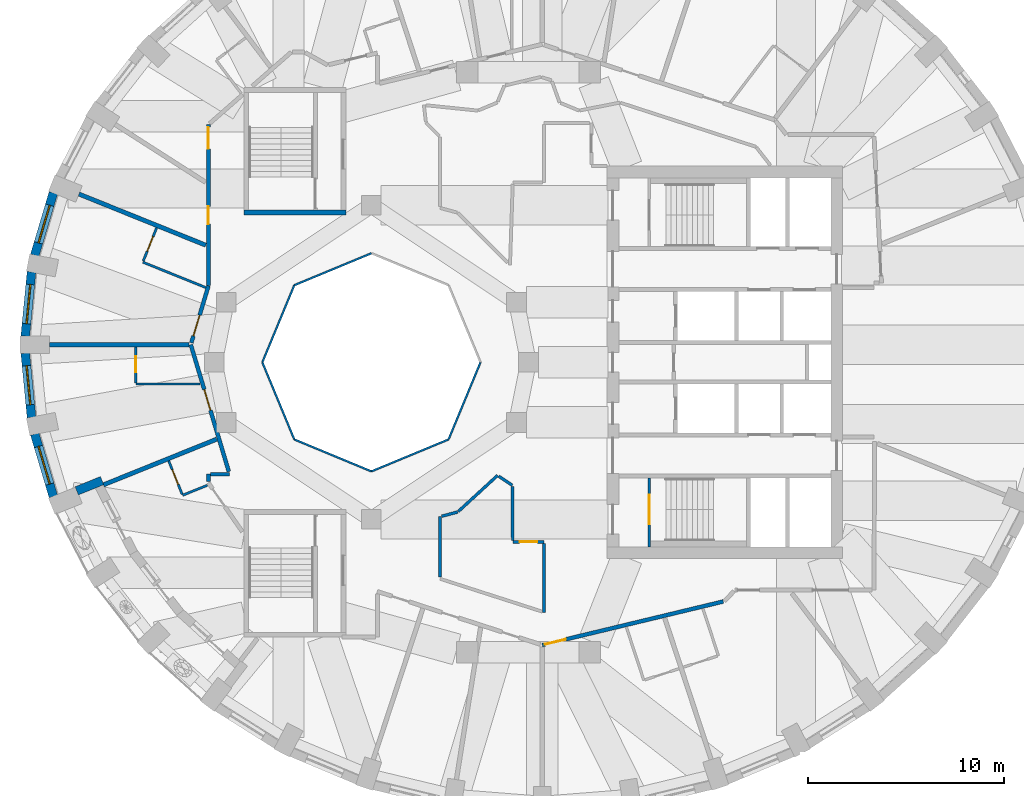
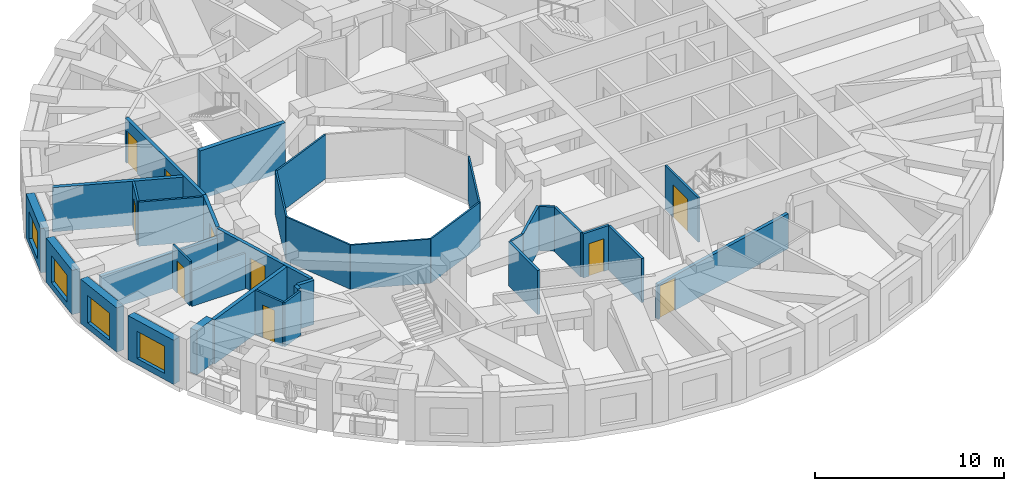
# One storey, part 4 of 12: 35 walls, 10 doors, 4 windows, 14 openings.
"""IFC4 building model written with IfcOpenShell, lengths in metres."""

from ifc_helpers import new_model, si_unit, direction, frame, frame_2d, origin, place, context, subcontext, project, spatial, rectangle, extrude, material, layer, layer_set, type_object, element, fill, save


model = new_model("IFC4")

# Units and contexts
model_context = context("Model", 3, precision=1e-05, world=origin(), true_north=direction((0.0, 1.0)))
body_context = subcontext(model_context, "Body", "Model", "MODEL_VIEW")
ifc_project = project(units=[si_unit("LENGTHUNIT", "METRE"), si_unit("AREAUNIT", "SQUARE_METRE"), si_unit("VOLUMEUNIT", "CUBIC_METRE"), si_unit("PLANEANGLEUNIT", "RADIAN"), si_unit("MASSUNIT", "GRAM", prefix="KILO")], contexts=[model_context])

# Site, building, storey
site_placement = place(None, origin())
site = spatial("IfcSite", under=ifc_project, at=site_placement, CompositionType="ELEMENT")
building_placement = place(site_placement, origin())
building = spatial("IfcBuilding", under=site, at=building_placement, Name="Taillehof Tower", CompositionType="ELEMENT")
storey_placement = place(building_placement, frame((0.0, 0.0, 225.5)))
storey = spatial("IfcBuildingStorey", under=building, at=storey_placement, Name="L64", CompositionType="ELEMENT", Elevation=225.5)

# Walls
ifc_material_1 = material(Name="Fire-resisting glass in steel frame", Category="steel")
ifc_layer_1 = layer(ifc_material_1, 0.10009765625)
ifc_layer_set_1 = layer_set([ifc_layer_1], Name="Atrium fire-resisting screen EI 60 100")
wall_type_1 = type_object("IfcWallType", Name="Atrium fire-resisting screen EI 60 100", PredefinedType="PARTITIONING", material=ifc_layer_set_1)
for number, where, z_axis, x_axis, name in (
    (1, (-2.44580078125, 0.0, 0.0), (0.0, 0.0, 1.0), (-0.382730523909, -0.923860025149, 0.0), "Atrium screen"),
    (2, (-4.07275390625, -3.92724609375, 0.0), (0.0, 0.0, 1.0), (-0.923860025149, -0.382730523909, 0.0), "Atrium screen"),
    (3, (-8.0, -5.55419921875, 0.0), (0.0, 0.0, 1.0), (-0.923860025149, 0.382730523909, 0.0), "Atrium screen"),
    (4, (-11.92724609375, -3.92724609375, 0.0), (0.0, 0.0, 1.0), (-0.382730523909, 0.923860025149, 0.0), "Atrium screen"),
    (5, (-13.55419921875, 0.0, 0.0), (0.0, 0.0, 1.0), (0.382730523909, 0.923860025149, 0.0), "Atrium screen"),
    (6, (-11.92724609375, 3.92724609375, 0.0), (0.0, 0.0, 1.0), (0.923860025149, 0.382730523909, 0.0), "Atrium screen"),
):
    element("IfcWall", number, at=place(storey_placement, frame(where, z_axis=z_axis, x_axis=x_axis)), inside=storey, type_object=wall_type_1, Name=name, PredefinedType="PARTITIONING", context=body_context, shape_type="SweptSolid", body=[
        extrude(rectangle(XDim=4.2509765625, YDim=0.10009765625, at=frame_2d((2.12548828125, 0.0))), origin(), (0.0, 0.0, 1.0), 2.85009765625),
    ])

# Wall, opening, window
ifc_material_2 = material(Name="Brick masonry", Category="masonry")
ifc_layer_2 = layer(ifc_material_2, 0.449951171875)
ifc_layer_set_2 = layer_set([ifc_layer_2], Name="Brick infill wall 450")
wall_type_2 = type_object("IfcWallType", Name="Brick infill wall 450", PredefinedType="SOLIDWALL", material=ifc_layer_set_2)
wall_1_placement = place(storey_placement, frame((-24.200439453125, 8.634033203125, 0.0), z_axis=(0.0, 0.0, 1.0), x_axis=(-0.285444972963, -0.958395099847, 0.0)))
wall_1 = element("IfcWall", 7, at=wall_1_placement, inside=storey, type_object=wall_type_2, Name="Brick wall L64 bay 17", PredefinedType="SOLIDWALL", context=body_context, shape_type="SweptSolid", body=[
    extrude(rectangle(XDim=3.3203125, YDim=0.449951171875, at=frame_2d((1.66015625, 0.0))), origin(), (0.0, 0.0, 1.0), 2.85009765625),
])
opening_1_placement = place(wall_1_placement, frame((0.66015625, 0.0, 0.39990234375)))
opening_1 = element("IfcOpeningElement", 8, at=opening_1_placement, cuts=wall_1, Name="Opening W2", PredefinedType="OPENING", context=body_context, shape_type="SweptSolid", body=[
    extrude(rectangle(XDim=2.0, YDim=1.75, at=frame_2d((1.0, 0.875))), frame((0.0, 0.23486328125, 0.0), z_axis=(0.0, -1.0, 0.0), x_axis=(1.0, 0.0, 0.0)), (0.0, 0.0, 1.0), 0.469970703125),
])
ifc_material_3 = material(Name="Aluminium window frame with clear double glazing", Category="aluminium")
window_type = type_object("IfcWindowType", Name="Deep-set window 2000x1750", PartitioningType="SINGLE_PANEL", PredefinedType="WINDOW", material=ifc_material_3)
window_1_placement = place(opening_1_placement, origin())
window_1 = element("IfcWindow", 9, at=window_1_placement, inside=storey, type_object=window_type, Name="W2", OverallHeight=1.75, OverallWidth=2.0, PartitioningType="SINGLE_PANEL", PredefinedType="WINDOW", context=body_context, shape_type="SweptSolid", body=[
    extrude(rectangle(XDim=2.0, YDim=1.75, at=frame_2d((1.0, 0.875))), frame((0.0, 0.034912109375, 0.0), z_axis=(0.0, -1.0, 0.0), x_axis=(1.0, 0.0, 0.0)), (0.0, 0.0, 1.0), 0.06005859375),
])
fill(opening_1, window_1)

wall_2_placement = place(storey_placement, frame((-25.313232421875, 4.607666015625, 0.0), z_axis=(0.0, 0.0, 1.0), x_axis=(-0.096824116835, -0.995301507283, 0.0)))
wall_2 = element("IfcWall", 10, at=wall_2_placement, inside=storey, type_object=wall_type_2, Name="Brick wall L64 bay 18", PredefinedType="SOLIDWALL", context=body_context, shape_type="SweptSolid", body=[
    extrude(rectangle(XDim=3.29296875, YDim=0.449951171875, at=frame_2d((1.646484375, 0.0))), origin(), (0.0, 0.0, 1.0), 2.85009765625),
])
opening_2_placement = place(wall_2_placement, frame((0.646484375, 0.0, 0.39990234375)))
opening_2 = element("IfcOpeningElement", 11, at=opening_2_placement, cuts=wall_2, Name="Opening W2", PredefinedType="OPENING", context=body_context, shape_type="SweptSolid", body=[
    extrude(rectangle(XDim=2.0, YDim=1.75, at=frame_2d((1.0, 0.875))), frame((0.0, 0.23486328125, 0.0), z_axis=(0.0, -1.0, 0.0), x_axis=(1.0, 0.0, 0.0)), (0.0, 0.0, 1.0), 0.469970703125),
])
window_2_placement = place(opening_2_placement, origin())
window_2 = element("IfcWindow", 12, at=window_2_placement, inside=storey, type_object=window_type, Name="W2", OverallHeight=1.75, OverallWidth=2.0, PartitioningType="SINGLE_PANEL", PredefinedType="WINDOW", context=body_context, shape_type="SweptSolid", body=[
    extrude(rectangle(XDim=2.0, YDim=1.75, at=frame_2d((1.0, 0.875))), frame((0.0, 0.034912109375, 0.0), z_axis=(0.0, -1.0, 0.0), x_axis=(1.0, 0.0, 0.0)), (0.0, 0.0, 1.0), 0.06005859375),
])
fill(opening_2, window_2)

wall_3_placement = place(storey_placement, frame((-25.632080078125, 0.469970703125, 0.0), z_axis=(0.0, 0.0, 1.0), x_axis=(0.096816972749, -0.995302202242, 0.0)))
wall_3 = element("IfcWall", 13, at=wall_3_placement, inside=storey, type_object=wall_type_2, Name="Brick wall L64 bay 19", PredefinedType="SOLIDWALL", context=body_context, shape_type="SweptSolid", body=[
    extrude(rectangle(XDim=3.293212890625, YDim=0.449951171875, at=frame_2d((1.646484375, 0.0))), origin(), (0.0, 0.0, 1.0), 2.85009765625),
])
opening_3_placement = place(wall_3_placement, frame((0.646484375, 0.0, 0.39990234375)))
opening_3 = element("IfcOpeningElement", 14, at=opening_3_placement, cuts=wall_3, Name="Opening W2", PredefinedType="OPENING", context=body_context, shape_type="SweptSolid", body=[
    extrude(rectangle(XDim=2.0, YDim=1.75, at=frame_2d((1.0, 0.875))), frame((0.0, 0.23486328125, 0.0), z_axis=(0.0, -1.0, 0.0), x_axis=(1.0, 0.0, 0.0)), (0.0, 0.0, 1.0), 0.469970703125),
])
window_3_placement = place(opening_3_placement, origin())
window_3 = element("IfcWindow", 15, at=window_3_placement, inside=storey, type_object=window_type, Name="W2", OverallHeight=1.75, OverallWidth=2.0, PartitioningType="SINGLE_PANEL", PredefinedType="WINDOW", context=body_context, shape_type="SweptSolid", body=[
    extrude(rectangle(XDim=2.0, YDim=1.75, at=frame_2d((1.0, 0.875))), frame((0.0, 0.034912109375, 0.0), z_axis=(0.0, -1.0, 0.0), x_axis=(1.0, 0.0, 0.0)), (0.0, 0.0, 1.0), 0.06005859375),
])
fill(opening_3, window_3)

wall_4_placement = place(storey_placement, frame((-25.148193359375, -3.65185546875, 0.0), z_axis=(0.0, 0.0, 1.0), x_axis=(0.285444972963, -0.958395099847, 0.0)))
wall_4 = element("IfcWall", 16, at=wall_4_placement, inside=storey, type_object=wall_type_2, Name="Brick wall L64 bay 20", PredefinedType="SOLIDWALL", context=body_context, shape_type="SweptSolid", body=[
    extrude(rectangle(XDim=3.3203125, YDim=0.449951171875, at=frame_2d((1.66015625, 0.0))), origin(), (0.0, 0.0, 1.0), 2.85009765625),
])
opening_4_placement = place(wall_4_placement, frame((0.66015625, 0.0, 0.39990234375)))
opening_4 = element("IfcOpeningElement", 17, at=opening_4_placement, cuts=wall_4, Name="Opening W2", PredefinedType="OPENING", context=body_context, shape_type="SweptSolid", body=[
    extrude(rectangle(XDim=2.0, YDim=1.75, at=frame_2d((1.0, 0.875))), frame((0.0, 0.23486328125, 0.0), z_axis=(0.0, -1.0, 0.0), x_axis=(1.0, 0.0, 0.0)), (0.0, 0.0, 1.0), 0.469970703125),
])
window_4_placement = place(opening_4_placement, origin())
window_4 = element("IfcWindow", 18, at=window_4_placement, inside=storey, type_object=window_type, Name="W2", OverallHeight=1.75, OverallWidth=2.0, PartitioningType="SINGLE_PANEL", PredefinedType="WINDOW", context=body_context, shape_type="SweptSolid", body=[
    extrude(rectangle(XDim=2.0, YDim=1.75, at=frame_2d((1.0, 0.875))), frame((0.0, 0.034912109375, 0.0), z_axis=(0.0, -1.0, 0.0), x_axis=(1.0, 0.0, 0.0)), (0.0, 0.0, 1.0), 0.06005859375),
])
fill(opening_4, window_4)

# Wall
wall_5_placement = place(storey_placement, frame((-23.0078125, -6.54638671875, 0.0), z_axis=(0.0, 0.0, 1.0), x_axis=(0.927346156366, 0.37420463155, 0.0)))
element("IfcWall", 19, at=wall_5_placement, inside=storey, type_object=wall_type_2, Name="Brick reveal L64 pocket 6", PredefinedType="SOLIDWALL", context=body_context, shape_type="SweptSolid", body=[
    extrude(rectangle(XDim=1.390380859375, YDim=0.449951171875, at=frame_2d((0.6953125, 0.0))), origin(), (0.0, 0.0, 1.0), 2.85009765625),
])

# Wall, opening, door
ifc_material_4 = material(Name="Gypsum board on steel studs, two layers each side", Category="steel")
ifc_layer_3 = layer(ifc_material_4, 0.199951171875)
ifc_layer_set_3 = layer_set([ifc_layer_3], Name="Compartment wall corridor 200")
wall_type_3 = type_object("IfcWallType", Name="Compartment wall corridor 200", PredefinedType="PARTITIONING", material=ifc_layer_set_3)
wall_6_placement = place(storey_placement, frame((9.922119140625, -12.1826171875, 0.0), z_axis=(0.0, 0.0, 1.0), x_axis=(-0.972292362394, -0.233768180104, 0.0)))
wall_6 = element("IfcWall", 20, at=wall_6_placement, inside=storey, type_object=wall_type_3, Name="Compartment wall", PredefinedType="PARTITIONING", context=body_context, shape_type="SweptSolid", body=[
    extrude(rectangle(XDim=9.48486328125, YDim=0.199951171875, at=frame_2d((4.742431640625, 0.0))), origin(), (0.0, 0.0, 1.0), 2.25),
])
opening_5_placement = place(wall_6_placement, frame((8.244873046875, 0.0, 0.0)))
opening_5 = element("IfcOpeningElement", 21, at=opening_5_placement, cuts=wall_6, Name="Opening D6461", PredefinedType="OPENING", context=body_context, shape_type="SweptSolid", body=[
    extrude(rectangle(XDim=1.10009765625, YDim=2.10009765625, at=frame_2d((0.550048828125, 1.050048828125))), frame((0.0, 0.10986328125, 0.0), z_axis=(0.0, -1.0, 0.0), x_axis=(1.0, 0.0, 0.0)), (0.0, 0.0, 1.0), 0.219970703125),
])
ifc_material_5 = material(Name="Timber door leaf in steel frame", Category="steel")
door_type_1 = type_object("IfcDoorType", Name="Suite entrance door EI 30 1100 x 2100", OperationType="SINGLE_SWING_LEFT", PredefinedType="DOOR", material=ifc_material_5)
door_1_placement = place(opening_5_placement, origin())
door_1 = element("IfcDoor", 22, at=door_1_placement, inside=storey, type_object=door_type_1, Name="D6461", OperationType="SINGLE_SWING_RIGHT", OverallHeight=2.10009765625, OverallWidth=1.10009765625, PredefinedType="DOOR", context=body_context, shape_type="SweptSolid", body=[
    extrude(rectangle(XDim=1.10009765625, YDim=2.10009765625, at=frame_2d((0.550048828125, 1.050048828125))), frame((0.0, 0.02490234375, 0.0), z_axis=(0.0, -1.0, 0.0), x_axis=(1.0, 0.0, 0.0)), (0.0, 0.0, 1.0), 0.050048828125),
])
fill(opening_5, door_1)

# Walls
wall_7_placement = place(storey_placement, frame((-16.300048828125, -6.080078125, 0.0), z_axis=(0.0, 0.0, 1.0), x_axis=(0.0, 1.0, 0.0)))
element("IfcWall", 23, at=wall_7_placement, inside=storey, type_object=wall_type_3, Name="Compartment wall", PredefinedType="PARTITIONING", context=body_context, shape_type="SweptSolid", body=[
    extrude(rectangle(XDim=0.380126953125, YDim=0.199951171875, at=frame_2d((0.18994140625, 0.0))), origin(), (0.0, 0.0, 1.0), 2.85009765625),
])
wall_8_placement = place(storey_placement, frame((-16.199951171875, -5.699951171875, 0.0), z_axis=(0.0, 0.0, 1.0), x_axis=(1.0, 0.0, 0.0)))
element("IfcWall", 24, at=wall_8_placement, inside=storey, type_object=wall_type_3, Name="Compartment wall", PredefinedType="PARTITIONING", context=body_context, shape_type="SweptSolid", body=[
    extrude(rectangle(XDim=0.978759765625, YDim=0.199951171875, at=frame_2d((0.4892578125, 0.0))), origin(), (0.0, 0.0, 1.0), 2.85009765625),
])

# Wall, opening, door
wall_9_placement = place(storey_placement, frame((-15.26220703125, -5.566650390625, 0.0), z_axis=(0.0, 0.0, 1.0), x_axis=(-0.28704593875, 0.957916817395, 0.0)))
wall_9 = element("IfcWall", 25, at=wall_9_placement, inside=storey, type_object=wall_type_3, Name="Compartment wall", PredefinedType="PARTITIONING", context=body_context, shape_type="SweptSolid", body=[
    extrude(rectangle(XDim=6.750732421875, YDim=0.199951171875, at=frame_2d((3.37548828125, 0.0))), origin(), (0.0, 0.0, 1.0), 2.85009765625),
])
opening_6_placement = place(wall_9_placement, frame((3.25927734375, 0.0, 0.0)))
opening_6 = element("IfcOpeningElement", 26, at=opening_6_placement, cuts=wall_9, Name="Opening D6454", PredefinedType="OPENING", context=body_context, shape_type="SweptSolid", body=[
    extrude(rectangle(XDim=1.10009765625, YDim=2.10009765625, at=frame_2d((0.550048828125, 1.050048828125))), frame((0.0, 0.10986328125, 0.0), z_axis=(0.0, -1.0, 0.0), x_axis=(1.0, 0.0, 0.0)), (0.0, 0.0, 1.0), 0.219970703125),
])
door_2_placement = place(opening_6_placement, origin())
door_2 = element("IfcDoor", 27, at=door_2_placement, inside=storey, type_object=door_type_1, Name="D6454", OperationType="SINGLE_SWING_RIGHT", OverallHeight=2.10009765625, OverallWidth=1.10009765625, PredefinedType="DOOR", context=body_context, shape_type="SweptSolid", body=[
    extrude(rectangle(XDim=1.10009765625, YDim=2.10009765625, at=frame_2d((0.550048828125, 1.050048828125))), frame((0.0, 0.02490234375, 0.0), z_axis=(0.0, -1.0, 0.0), x_axis=(1.0, 0.0, 0.0)), (0.0, 0.0, 1.0), 0.050048828125),
])
fill(opening_6, door_2)

wall_10_placement = place(storey_placement, frame((-17.170654296875, 0.9951171875, 0.0), z_axis=(0.0, 0.0, 1.0), x_axis=(0.286919722033, 0.957954629984, 0.0)))
wall_10 = element("IfcWall", 28, at=wall_10_placement, inside=storey, type_object=wall_type_3, Name="Compartment wall", PredefinedType="PARTITIONING", context=body_context, shape_type="SweptSolid", body=[
    extrude(rectangle(XDim=3.034423828125, YDim=0.199951171875, at=frame_2d((1.51708984375, 0.0))), origin(), (0.0, 0.0, 1.0), 2.85009765625),
])
opening_7_placement = place(wall_10_placement, frame((0.365234375, 0.0, 0.0)))
opening_7 = element("IfcOpeningElement", 29, at=opening_7_placement, cuts=wall_10, Name="Opening D6452", PredefinedType="OPENING", context=body_context, shape_type="SweptSolid", body=[
    extrude(rectangle(XDim=1.10009765625, YDim=2.10009765625, at=frame_2d((0.550048828125, 1.050048828125))), frame((0.0, 0.10986328125, 0.0), z_axis=(0.0, -1.0, 0.0), x_axis=(1.0, 0.0, 0.0)), (0.0, 0.0, 1.0), 0.219970703125),
])
door_3_placement = place(opening_7_placement, origin())
door_3 = element("IfcDoor", 30, at=door_3_placement, inside=storey, type_object=door_type_1, Name="D6452", OperationType="SINGLE_SWING_LEFT", OverallHeight=2.10009765625, OverallWidth=1.10009765625, PredefinedType="DOOR", context=body_context, shape_type="SweptSolid", body=[
    extrude(rectangle(XDim=1.10009765625, YDim=2.10009765625, at=frame_2d((0.550048828125, 1.050048828125))), frame((0.0, 0.02490234375, 0.0), z_axis=(0.0, -1.0, 0.0), x_axis=(1.0, 0.0, 0.0)), (0.0, 0.0, 1.0), 0.050048828125),
])
fill(opening_7, door_3)

# Wall, openings, doors
wall_11_placement = place(storey_placement, frame((-16.300048828125, 3.921875, 0.0), z_axis=(0.0, 0.0, 1.0), x_axis=(0.0, 1.0, 0.0)))
wall_11 = element("IfcWall", 31, at=wall_11_placement, inside=storey, type_object=wall_type_3, Name="Compartment wall", PredefinedType="PARTITIONING", context=body_context, shape_type="SweptSolid", body=[
    extrude(rectangle(XDim=8.193115234375, YDim=0.199951171875, at=frame_2d((4.0966796875, 0.0))), origin(), (0.0, 0.0, 1.0), 2.85009765625),
])
opening_8_placement = place(wall_11_placement, frame((6.953125, 0.0, 0.0)))
opening_8 = element("IfcOpeningElement", 32, at=opening_8_placement, cuts=wall_11, Name="Opening D6449", PredefinedType="OPENING", context=body_context, shape_type="SweptSolid", body=[
    extrude(rectangle(XDim=1.10009765625, YDim=2.10009765625, at=frame_2d((0.550048828125, 1.050048828125))), frame((0.0, 0.10986328125, 0.0), z_axis=(0.0, -1.0, 0.0), x_axis=(1.0, 0.0, 0.0)), (0.0, 0.0, 1.0), 0.219970703125),
])
opening_9_placement = place(wall_11_placement, frame((3.123046875, 0.0, 0.0)))
opening_9 = element("IfcOpeningElement", 33, at=opening_9_placement, cuts=wall_11, Name="Opening D6451", PredefinedType="OPENING", context=body_context, shape_type="SweptSolid", body=[
    extrude(rectangle(XDim=0.89990234375, YDim=2.10009765625, at=frame_2d((0.449951171875, 1.050048828125))), frame((0.0, 0.10986328125, 0.0), z_axis=(0.0, -1.0, 0.0), x_axis=(1.0, 0.0, 0.0)), (0.0, 0.0, 1.0), 0.219970703125),
])
ifc_material_6 = material(Name="Timber door leaf in steel frame", Category="steel")
door_type_2 = type_object("IfcDoorType", Name="Service room door EI 30 900 x 2100", OperationType="SINGLE_SWING_LEFT", PredefinedType="DOOR", material=ifc_material_6)
door_4_placement = place(opening_9_placement, origin())
door_4 = element("IfcDoor", 34, at=door_4_placement, inside=storey, type_object=door_type_2, Name="D6451", OperationType="SINGLE_SWING_LEFT", OverallHeight=2.10009765625, OverallWidth=0.89990234375, PredefinedType="DOOR", context=body_context, shape_type="SweptSolid", body=[
    extrude(rectangle(XDim=0.89990234375, YDim=2.10009765625, at=frame_2d((0.449951171875, 1.050048828125))), frame((0.0, 0.02490234375, 0.0), z_axis=(0.0, -1.0, 0.0), x_axis=(1.0, 0.0, 0.0)), (0.0, 0.0, 1.0), 0.050048828125),
])
fill(opening_9, door_4)
door_5_placement = place(opening_8_placement, origin())
door_5 = element("IfcDoor", 35, at=door_5_placement, inside=storey, type_object=door_type_1, Name="D6449", OperationType="SINGLE_SWING_LEFT", OverallHeight=2.10009765625, OverallWidth=1.10009765625, PredefinedType="DOOR", context=body_context, shape_type="SweptSolid", body=[
    extrude(rectangle(XDim=1.10009765625, YDim=2.10009765625, at=frame_2d((0.550048828125, 1.050048828125))), frame((0.0, 0.02490234375, 0.0), z_axis=(0.0, -1.0, 0.0), x_axis=(1.0, 0.0, 0.0)), (0.0, 0.0, 1.0), 0.050048828125),
])
fill(opening_8, door_5)

# Walls
ifc_material_7 = material(Name="Gypsum board on double steel studs with mineral wool", Category="steel")
ifc_layer_4 = layer(ifc_material_7, 0.219970703125)
ifc_layer_set_4 = layer_set([ifc_layer_4], Name="Compartment wall guest room 220")
wall_type_4 = type_object("IfcWallType", Name="Compartment wall guest room 220", PredefinedType="PARTITIONING", material=ifc_layer_set_4)
wall_12_placement = place(storey_placement, frame((-22.8955078125, 8.5712890625, 0.0), z_axis=(0.0, 0.0, 1.0), x_axis=(0.927387137769, -0.374103056256, 0.0)))
element("IfcWall", 36, at=wall_12_placement, inside=storey, type_object=wall_type_4, Name="Compartment wall", PredefinedType="PARTITIONING", context=body_context, shape_type="SweptSolid", body=[
    extrude(rectangle(XDim=6.9638671875, YDim=0.219970703125, at=frame_2d((3.48193359375, 0.0))), origin(), (0.0, 0.0, 1.0), 2.85009765625),
])
wall_13_placement = place(storey_placement, frame((-24.39990234375, 0.89990234375, 0.0), z_axis=(0.0, 0.0, 1.0), x_axis=(1.0, 0.0, 0.0)))
element("IfcWall", 37, at=wall_13_placement, inside=storey, type_object=wall_type_4, Name="Compartment wall", PredefinedType="PARTITIONING", context=body_context, shape_type="SweptSolid", body=[
    extrude(rectangle(XDim=7.099853515625, YDim=0.219970703125, at=frame_2d((3.5498046875, 0.0))), origin(), (0.0, 0.0, 1.0), 2.300048828125),
])
wall_14_placement = place(storey_placement, frame((-21.65087890625, -6.241455078125, 0.0), z_axis=(0.0, 0.0, 1.0), x_axis=(0.927390089179, 0.37409573974, 0.0)))
element("IfcWall", 38, at=wall_14_placement, inside=storey, type_object=wall_type_4, Name="Compartment wall", PredefinedType="PARTITIONING", context=body_context, shape_type="SweptSolid", body=[
    extrude(rectangle(XDim=6.220703125, YDim=0.219970703125, at=frame_2d((3.1103515625, 0.0))), origin(), (0.0, 0.0, 1.0), 2.85009765625),
])

# Wall, opening, door
ifc_material_8 = material(Name="Gypsum board on steel studs, two layers each side", Category="steel")
ifc_layer_5 = layer(ifc_material_8, 0.14990234375)
ifc_layer_set_5 = layer_set([ifc_layer_5], Name="Compartment wall service room 150")
wall_type_5 = type_object("IfcWallType", Name="Compartment wall service room 150", PredefinedType="PARTITIONING", material=ifc_layer_set_5)
wall_15_placement = place(storey_placement, frame((-0.800048828125, -9.14990234375, 0.0), z_axis=(0.0, 0.0, 1.0), x_axis=(1.0, 0.0, 0.0)))
wall_15 = element("IfcWall", 39, at=wall_15_placement, inside=storey, type_object=wall_type_5, Name="Compartment wall", PredefinedType="PARTITIONING", context=body_context, shape_type="SweptSolid", body=[
    extrude(rectangle(XDim=1.60009765625, YDim=0.14990234375, at=frame_2d((0.800048828125, 0.0))), origin(), (0.0, 0.0, 1.0), 2.85009765625),
])
opening_10_placement = place(wall_15_placement, frame((0.35009765625, 0.0, 0.0)))
opening_10 = element("IfcOpeningElement", 40, at=opening_10_placement, cuts=wall_15, Name="Opening D6469", PredefinedType="OPENING", context=body_context, shape_type="SweptSolid", body=[
    extrude(rectangle(XDim=0.89990234375, YDim=2.10009765625, at=frame_2d((0.449951171875, 1.050048828125))), frame((0.0, 0.0849609375, 0.0), z_axis=(0.0, -1.0, 0.0), x_axis=(1.0, 0.0, 0.0)), (0.0, 0.0, 1.0), 0.169921875),
])
door_6_placement = place(opening_10_placement, origin())
door_6 = element("IfcDoor", 41, at=door_6_placement, inside=storey, type_object=door_type_2, Name="D6469", OperationType="SINGLE_SWING_LEFT", OverallHeight=2.10009765625, OverallWidth=0.89990234375, PredefinedType="DOOR", context=body_context, shape_type="SweptSolid", body=[
    extrude(rectangle(XDim=0.89990234375, YDim=2.10009765625, at=frame_2d((0.449951171875, 1.050048828125))), frame((0.0, 0.02490234375, 0.0), z_axis=(0.0, -1.0, 0.0), x_axis=(1.0, 0.0, 0.0)), (0.0, 0.0, 1.0), 0.050048828125),
])
fill(opening_10, door_6)

# Walls
wall_16_placement = place(storey_placement, frame((0.800048828125, -9.22998046875, 0.0), z_axis=(0.0, 0.0, 1.0), x_axis=(0.0, -1.0, 0.0)))
element("IfcWall", 42, at=wall_16_placement, inside=storey, type_object=wall_type_5, Name="Compartment wall", PredefinedType="PARTITIONING", context=body_context, shape_type="SweptSolid", body=[
    extrude(rectangle(XDim=3.50048828125, YDim=0.14990234375, at=frame_2d((1.750244140625, 0.0))), origin(), (0.0, 0.0, 1.0), 2.85009765625),
])
wall_17_placement = place(storey_placement, frame((-4.5, -10.947021484375, 0.0), z_axis=(0.0, 0.0, 1.0), x_axis=(0.0, 1.0, 0.0)))
element("IfcWall", 43, at=wall_17_placement, inside=storey, type_object=wall_type_5, Name="Compartment wall", PredefinedType="PARTITIONING", context=body_context, shape_type="SweptSolid", body=[
    extrude(rectangle(XDim=3.0849609375, YDim=0.14990234375, at=frame_2d((1.54248046875, 0.0))), origin(), (0.0, 0.0, 1.0), 2.85009765625),
])
wall_18_placement = place(storey_placement, frame((-4.4228515625, -7.841552734375, 0.0), z_axis=(0.0, 0.0, 1.0), x_axis=(0.965853333569, 0.259089440221, 0.0)))
element("IfcWall", 44, at=wall_18_placement, inside=storey, type_object=wall_type_5, Name="Compartment wall", PredefinedType="PARTITIONING", context=body_context, shape_type="SweptSolid", body=[
    extrude(rectangle(XDim=0.851806640625, YDim=0.14990234375, at=frame_2d((0.42578125, 0.0))), origin(), (0.0, 0.0, 1.0), 2.85009765625),
])
wall_19_placement = place(storey_placement, frame((-3.57080078125, -7.593994140625, 0.0), z_axis=(0.0, 0.0, 1.0), x_axis=(0.736783660812, 0.676128565555, 0.0)))
element("IfcWall", 45, at=wall_19_placement, inside=storey, type_object=wall_type_5, Name="Compartment wall", PredefinedType="PARTITIONING", context=body_context, shape_type="SweptSolid", body=[
    extrude(rectangle(XDim=2.708984375, YDim=0.14990234375, at=frame_2d((1.3544921875, 0.0))), origin(), (0.0, 0.0, 1.0), 2.85009765625),
])
wall_20_placement = place(storey_placement, frame((-1.508544921875, -5.806396484375, 0.0), z_axis=(0.0, 0.0, 1.0), x_axis=(0.831367153095, -0.55572354346, 0.0)))
element("IfcWall", 46, at=wall_20_placement, inside=storey, type_object=wall_type_5, Name="Compartment wall", PredefinedType="PARTITIONING", context=body_context, shape_type="SweptSolid", body=[
    extrude(rectangle(XDim=0.825439453125, YDim=0.14990234375, at=frame_2d((0.41259765625, 0.0))), origin(), (0.0, 0.0, 1.0), 2.85009765625),
])
wall_21_placement = place(storey_placement, frame((-0.821533203125, -6.3251953125, 0.0), z_axis=(0.0, 0.0, 1.0), x_axis=(0.007471771501, -0.999972085926, 0.0)))
element("IfcWall", 47, at=wall_21_placement, inside=storey, type_object=wall_type_5, Name="Compartment wall", PredefinedType="PARTITIONING", context=body_context, shape_type="SweptSolid", body=[
    extrude(rectangle(XDim=2.74462890625, YDim=0.14990234375, at=frame_2d((1.372314453125, 0.0))), origin(), (0.0, 0.0, 1.0), 2.85009765625),
])
ifc_material_9 = material(Name="Gypsum board on steel studs, moisture resistant", Category="steel")
ifc_layer_6 = layer(ifc_material_9, 0.1201171875)
ifc_layer_set_6 = layer_set([ifc_layer_6], Name="En-suite wall 120")
wall_type_6 = type_object("IfcWallType", Name="En-suite wall 120", PredefinedType="PARTITIONING", material=ifc_layer_set_6)
wall_22_placement = place(storey_placement, frame((-16.4326171875, 3.8076171875, 0.0), z_axis=(0.0, 0.0, 1.0), x_axis=(-0.927374031513, 0.374135544522, 0.0)))
element("IfcWall", 48, at=wall_22_placement, inside=storey, type_object=wall_type_6, Name="En-suite wall", PredefinedType="PARTITIONING", context=body_context, shape_type="SweptSolid", body=[
    extrude(rectangle(XDim=3.463623046875, YDim=0.1201171875, at=frame_2d((1.73193359375, 0.0))), origin(), (0.0, 0.0, 1.0), 2.85009765625),
])
wall_23_placement = place(storey_placement, frame((-16.724609375, -1.10009765625, 0.0), z_axis=(0.0, 0.0, 1.0), x_axis=(-1.0, 0.0, 0.0)))
element("IfcWall", 49, at=wall_23_placement, inside=storey, type_object=wall_type_6, Name="En-suite wall", PredefinedType="PARTITIONING", context=body_context, shape_type="SweptSolid", body=[
    extrude(rectangle(XDim=3.275390625, YDim=0.1201171875, at=frame_2d((1.6376953125, 0.0))), origin(), (0.0, 0.0, 1.0), 2.300048828125),
])
wall_24_placement = place(storey_placement, frame((-16.35986328125, -6.263671875, 0.0), z_axis=(0.0, 0.0, 1.0), x_axis=(-0.927381089245, -0.374118049967, 0.0)))
element("IfcWall", 50, at=wall_24_placement, inside=storey, type_object=wall_type_6, Name="En-suite wall", PredefinedType="PARTITIONING", context=body_context, shape_type="SweptSolid", body=[
    extrude(rectangle(XDim=1.357421875, YDim=0.1201171875, at=frame_2d((0.6787109375, 0.0))), origin(), (0.0, 0.0, 1.0), 2.85009765625),
])

# Wall, opening, door
wall_25_placement = place(storey_placement, frame((-19.6220703125, 5.1591796875, 0.0), z_axis=(0.0, 0.0, 1.0), x_axis=(0.373873925611, 0.927479534948, 0.0)))
wall_25 = element("IfcWall", 51, at=wall_25_placement, inside=storey, type_object=wall_type_6, Name="En-suite wall", PredefinedType="PARTITIONING", context=body_context, shape_type="SweptSolid", body=[
    extrude(rectangle(XDim=1.829833984375, YDim=0.1201171875, at=frame_2d((0.9150390625, 0.0))), origin(), (0.0, 0.0, 1.0), 2.85009765625),
])
opening_11_placement = place(wall_25_placement, frame((0.539794921875, 0.0, 0.0)))
opening_11 = element("IfcOpeningElement", 52, at=opening_11_placement, cuts=wall_25, Name="Opening D6453", PredefinedType="OPENING", context=body_context, shape_type="SweptSolid", body=[
    extrude(rectangle(XDim=0.800048828125, YDim=2.10009765625, at=frame_2d((0.39990234375, 1.050048828125))), frame((0.0, 0.070068359375, 0.0), z_axis=(0.0, -1.0, 0.0), x_axis=(1.0, 0.0, 0.0)), (0.0, 0.0, 1.0), 0.14013671875),
])
ifc_material_10 = material(Name="Timber door leaf in steel frame", Category="steel")
door_type_3 = type_object("IfcDoorType", Name="En-suite door 800 x 2100", OperationType="SINGLE_SWING_LEFT", PredefinedType="DOOR", material=ifc_material_10)
door_7_placement = place(opening_11_placement, origin())
door_7 = element("IfcDoor", 53, at=door_7_placement, inside=storey, type_object=door_type_3, Name="D6453", OperationType="SINGLE_SWING_RIGHT", OverallHeight=2.10009765625, OverallWidth=0.800048828125, PredefinedType="DOOR", context=body_context, shape_type="SweptSolid", body=[
    extrude(rectangle(XDim=0.800048828125, YDim=2.10009765625, at=frame_2d((0.39990234375, 1.050048828125))), frame((0.0, 0.02490234375, 0.0), z_axis=(0.0, -1.0, 0.0), x_axis=(1.0, 0.0, 0.0)), (0.0, 0.0, 1.0), 0.050048828125),
])
fill(opening_11, door_7)

wall_26_placement = place(storey_placement, frame((-20.0, -1.0400390625, 0.0), z_axis=(0.0, 0.0, 1.0), x_axis=(0.0, 1.0, 0.0)))
wall_26 = element("IfcWall", 54, at=wall_26_placement, inside=storey, type_object=wall_type_6, Name="En-suite wall", PredefinedType="PARTITIONING", context=body_context, shape_type="SweptSolid", body=[
    extrude(rectangle(XDim=1.829833984375, YDim=0.1201171875, at=frame_2d((0.9150390625, 0.0))), origin(), (0.0, 0.0, 1.0), 2.85009765625),
])
opening_12_placement = place(wall_26_placement, frame((0.5400390625, 0.0, 0.0)))
opening_12 = element("IfcOpeningElement", 55, at=opening_12_placement, cuts=wall_26, Name="Opening D6455", PredefinedType="OPENING", context=body_context, shape_type="SweptSolid", body=[
    extrude(rectangle(XDim=0.800048828125, YDim=2.10009765625, at=frame_2d((0.39990234375, 1.050048828125))), frame((0.0, 0.070068359375, 0.0), z_axis=(0.0, -1.0, 0.0), x_axis=(1.0, 0.0, 0.0)), (0.0, 0.0, 1.0), 0.14013671875),
])
door_8_placement = place(opening_12_placement, origin())
door_8 = element("IfcDoor", 56, at=door_8_placement, inside=storey, type_object=door_type_3, Name="D6455", OperationType="SINGLE_SWING_RIGHT", OverallHeight=2.10009765625, OverallWidth=0.800048828125, PredefinedType="DOOR", context=body_context, shape_type="SweptSolid", body=[
    extrude(rectangle(XDim=0.800048828125, YDim=2.10009765625, at=frame_2d((0.39990234375, 1.050048828125))), frame((0.0, 0.02490234375, 0.0), z_axis=(0.0, -1.0, 0.0), x_axis=(1.0, 0.0, 0.0)), (0.0, 0.0, 1.0), 0.050048828125),
])
fill(opening_12, door_8)

wall_27_placement = place(storey_placement, frame((-17.641357421875, -6.7158203125, 0.0), z_axis=(0.0, 0.0, 1.0), x_axis=(-0.374103450988, 0.927386978536, 0.0)))
wall_27 = element("IfcWall", 57, at=wall_27_placement, inside=storey, type_object=wall_type_6, Name="En-suite wall", PredefinedType="PARTITIONING", context=body_context, shape_type="SweptSolid", body=[
    extrude(rectangle(XDim=1.829833984375, YDim=0.1201171875, at=frame_2d((0.9150390625, 0.0))), origin(), (0.0, 0.0, 1.0), 2.85009765625),
])
opening_13_placement = place(wall_27_placement, frame((0.539794921875, 0.0, 0.0)))
opening_13 = element("IfcOpeningElement", 58, at=opening_13_placement, cuts=wall_27, Name="Opening D6457", PredefinedType="OPENING", context=body_context, shape_type="SweptSolid", body=[
    extrude(rectangle(XDim=0.800048828125, YDim=2.10009765625, at=frame_2d((0.39990234375, 1.050048828125))), frame((0.0, 0.070068359375, 0.0), z_axis=(0.0, -1.0, 0.0), x_axis=(1.0, 0.0, 0.0)), (0.0, 0.0, 1.0), 0.14013671875),
])
door_9_placement = place(opening_13_placement, origin())
door_9 = element("IfcDoor", 59, at=door_9_placement, inside=storey, type_object=door_type_3, Name="D6457", OperationType="SINGLE_SWING_RIGHT", OverallHeight=2.10009765625, OverallWidth=0.800048828125, PredefinedType="DOOR", context=body_context, shape_type="SweptSolid", body=[
    extrude(rectangle(XDim=0.800048828125, YDim=2.10009765625, at=frame_2d((0.39990234375, 1.050048828125))), frame((0.0, 0.02490234375, 0.0), z_axis=(0.0, -1.0, 0.0), x_axis=(1.0, 0.0, 0.0)), (0.0, 0.0, 1.0), 0.050048828125),
])
fill(opening_13, door_9)

ifc_material_11 = material(Name="Concrete C50/60", Category="concrete")
ifc_layer_7 = layer(ifc_material_11, 0.1201171875)
ifc_layer_set_7 = layer_set([ifc_layer_7], Name="Stair lobby wall C50/60 120")
wall_type_7 = type_object("IfcWallType", Name="Stair lobby wall C50/60 120", PredefinedType="SHEAR", material=ifc_layer_set_7)
wall_28_placement = place(storey_placement, frame((6.159912109375, -9.39990234375, 0.0), z_axis=(0.0, 0.0, 1.0), x_axis=(0.0, 1.0, 0.0)))
wall_28 = element("IfcWall", 60, at=wall_28_placement, inside=storey, type_object=wall_type_7, Name="Compartment wall SW", PredefinedType="SHEAR", context=body_context, shape_type="SweptSolid", body=[
    extrude(rectangle(XDim=3.5, YDim=0.1201171875, at=frame_2d((1.75, 0.0))), origin(), (0.0, 0.0, 1.0), 2.85009765625),
])
opening_14_placement = place(wall_28_placement, frame((1.14990234375, 0.0, 0.0)))
opening_14 = element("IfcOpeningElement", 61, at=opening_14_placement, cuts=wall_28, Name="Opening D6411", PredefinedType="OPENING", context=body_context, shape_type="SweptSolid", body=[
    extrude(rectangle(XDim=1.5, YDim=2.10009765625, at=frame_2d((0.75, 1.050048828125))), frame((0.0, 0.070068359375, 0.0), z_axis=(0.0, -1.0, 0.0), x_axis=(1.0, 0.0, 0.0)), (0.0, 0.0, 1.0), 0.14013671875),
])
ifc_material_12 = material(Name="Steel-faced fire door", Category="steel")
door_type_4 = type_object("IfcDoorType", Name="Stair door 1500x2100", OperationType="DOUBLE_DOOR_SINGLE_SWING", PredefinedType="DOOR", material=ifc_material_12)
door_10_placement = place(opening_14_placement, origin())
door_10 = element("IfcDoor", 62, at=door_10_placement, inside=storey, type_object=door_type_4, Name="Stair lobby door S2", OperationType="DOUBLE_DOOR_SINGLE_SWING", OverallHeight=2.10009765625, OverallWidth=1.5, PredefinedType="DOOR", context=body_context, shape_type="SweptSolid", body=[
    extrude(rectangle(XDim=1.5, YDim=2.10009765625, at=frame_2d((0.75, 1.050048828125))), frame((0.0, 0.02490234375, 0.0), z_axis=(0.0, -1.0, 0.0), x_axis=(1.0, 0.0, 0.0)), (0.0, 0.0, 1.0), 0.050048828125),
])
fill(opening_14, door_10)

# Wall
ifc_material_13 = material(Name="Concrete C50/60", Category="concrete")
ifc_layer_8 = layer(ifc_material_13, 0.25)
ifc_layer_set_8 = layer_set([ifc_layer_8], Name="Stair wall C50/60 250")
wall_type_8 = type_object("IfcWallType", Name="Stair wall C50/60 250", PredefinedType="SHEAR", material=ifc_layer_set_8)
wall_29_placement = place(storey_placement, frame((-14.5, 7.625, -0.280029296875), z_axis=(0.0, 0.0, 1.0), x_axis=(1.0, 0.0, 0.0)))
element("IfcWall", 63, at=wall_29_placement, inside=storey, type_object=wall_type_8, Name="Stair wall SC", PredefinedType="SHEAR", context=body_context, shape_type="SweptSolid", body=[
    extrude(rectangle(XDim=5.199951171875, YDim=0.25, at=frame_2d((2.60009765625, 0.0))), origin(), (0.0, 0.0, 1.0), 3.130126953125),
])

save(model, "model.ifc")
